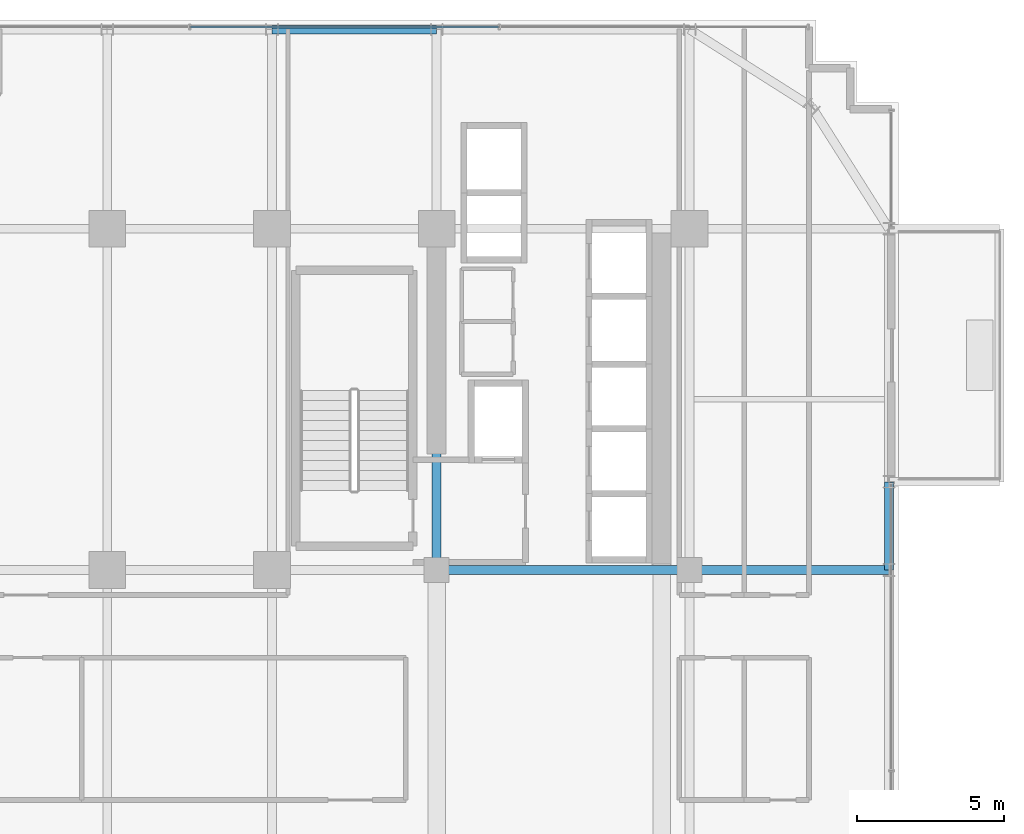
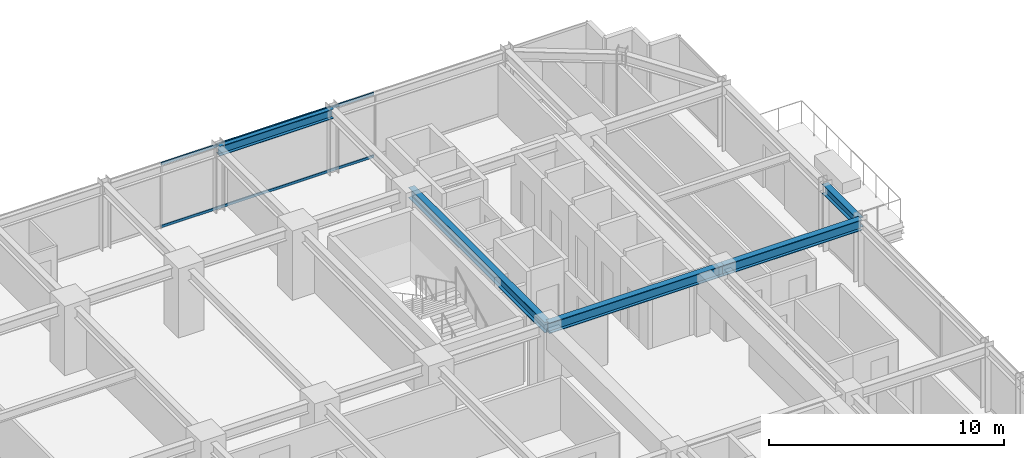
# One storey, part 21 of 33: 5 beams, 2 members, 1 element without a shape of its own.
"""IFC4 building model written with IfcOpenShell, lengths in metres."""

from ifc_helpers import new_model, si_unit, direction, frame, origin, origin_2d, place, context, subcontext, project, spatial, hollow_rectangle, i_section, extrude, source, transform, mapped, material, material_profile, profile_set, type_object, element, aggregate, save


model = new_model("IFC4")

# Units and contexts
model_context = context("Model", 3, precision=1e-05, world=origin(), true_north=direction((0.0, 1.0)))
body_context = subcontext(model_context, "Body", "Model", "MODEL_VIEW")
ifc_project = project(units=[si_unit("LENGTHUNIT", "METRE"), si_unit("AREAUNIT", "SQUARE_METRE"), si_unit("VOLUMEUNIT", "CUBIC_METRE"), si_unit("PLANEANGLEUNIT", "RADIAN"), si_unit("MASSUNIT", "GRAM", prefix="KILO")], contexts=[model_context])

# Site, building, storey
site_placement = place(None, origin())
site = spatial("IfcSite", under=ifc_project, at=site_placement, CompositionType="ELEMENT")
building_placement = place(site_placement, origin())
building = spatial("IfcBuilding", under=site, at=building_placement, Name="Nahalor Promenade Grand Hotel", CompositionType="ELEMENT")
storey_placement = place(building_placement, frame((0.0, 0.0, 117.5)))
storey = spatial("IfcBuildingStorey", under=building, at=storey_placement, Name="L29", CompositionType="ELEMENT", Elevation=117.5)

# Beams
ifc_material_1 = material(Name="Steel S355JR", Category="steel")
ifc_material_profile_1 = material_profile(ifc_material_1, i_section(OverallWidth=0.3, OverallDepth=0.5, WebThickness=0.0145, FlangeThickness=0.028, at=origin_2d()), Name="HEB 500")
ifc_profile_set_1 = profile_set([ifc_material_profile_1], Name="Steel S355JR")
beam_type_1 = type_object("IfcBeamType", Name="Beam-Spandrel-HEB500", PredefinedType="SPANDREL", material=ifc_profile_set_1)
shared_shape_1 = source(origin(), body_context, "Body", "SweptSolid", [
    extrude(i_section(OverallWidth=0.3, OverallDepth=0.5, WebThickness=0.0145, FlangeThickness=0.028, at=origin_2d()), origin(), (0.0, 0.0, 1.0), 5.599853515625),
])
beam_1_placement = place(storey_placement, frame((2.800048828125, 23.780029296875, 3.1298828125), z_axis=(1.0, 0.0, 0.0), x_axis=(0.0, 1.0, 0.0)))
element("IfcBeam", 1, at=beam_1_placement, inside=storey, type_object=beam_type_1, Name="BM-L29-SP-N-3", PredefinedType="SPANDREL", context=body_context, shape_type="MappedRepresentation", body=[
    mapped(shared_shape_1, transform((0.0, 0.0, 0.0), scale=1.0)),
])
shared_shape_2 = source(origin(), body_context, "Body", "SweptSolid", [
    extrude(i_section(OverallWidth=0.3, OverallDepth=0.5, WebThickness=0.0145, FlangeThickness=0.028, at=origin_2d()), origin(), (0.0, 0.0, 1.0), 3.0),
])
beam_2_placement = place(storey_placement, frame((23.780029296875, 5.39990234375, 3.1298828125), z_axis=(0.0, 1.0, 0.0), x_axis=(-1.0, 0.0, 0.0)))
element("IfcBeam", 2, at=beam_2_placement, inside=storey, type_object=beam_type_1, Name="BM-L29-SP-E-3", PredefinedType="SPANDREL", context=body_context, shape_type="MappedRepresentation", body=[
    mapped(shared_shape_2, transform((0.0, 0.0, 0.0), scale=1.0)),
])
ifc_material_profile_2 = material_profile(ifc_material_1, i_section(OverallWidth=0.3, OverallDepth=0.55, WebThickness=0.015, FlangeThickness=0.029, at=origin_2d()), Name="HEB 550")
ifc_profile_set_2 = profile_set([ifc_material_profile_2], Name="Steel S355JR")
beam_type_2 = type_object("IfcBeamType", Name="Beam-Girder-HEB550", PredefinedType="BEAM", material=ifc_profile_set_2)
shared_shape_3 = source(origin(), body_context, "Body", "SweptSolid", [
    extrude(i_section(OverallWidth=0.3, OverallDepth=0.55, WebThickness=0.015, FlangeThickness=0.029, at=origin_2d()), origin(), (0.0, 0.0, 1.0), 6.780029296875),
])
beam_3_placement = place(storey_placement, frame((17.0, 5.39990234375, 3.10498046875), z_axis=(1.0, 0.0, 0.0), x_axis=(0.0, 1.0, 0.0)))
element("IfcBeam", 3, at=beam_3_placement, inside=storey, type_object=beam_type_2, Name="BM-L29-GX-2-6", PredefinedType="BEAM", context=body_context, shape_type="MappedRepresentation", body=[
    mapped(shared_shape_3, transform((0.0, 0.0, 0.0), scale=1.0)),
])
shared_shape_4 = source(origin(), body_context, "Body", "SweptSolid", [
    extrude(i_section(OverallWidth=0.3, OverallDepth=0.55, WebThickness=0.015, FlangeThickness=0.029, at=origin_2d()), origin(), (0.0, 0.0, 1.0), 8.60009765625),
])
beam_4_placement = place(storey_placement, frame((8.39990234375, 5.39990234375, 3.10498046875), z_axis=(1.0, 0.0, 0.0), x_axis=(0.0, 1.0, 0.0)))
element("IfcBeam", 4, at=beam_4_placement, inside=storey, type_object=beam_type_2, Name="BM-L29-GX-2-5", PredefinedType="BEAM", context=body_context, shape_type="MappedRepresentation", body=[
    mapped(shared_shape_4, transform((0.0, 0.0, 0.0), scale=1.0)),
])
shared_shape_5 = source(origin(), body_context, "Body", "SweptSolid", [
    extrude(i_section(OverallWidth=0.3, OverallDepth=0.55, WebThickness=0.015, FlangeThickness=0.029, at=origin_2d()), origin(), (0.0, 0.0, 1.0), 11.60009765625),
])
beam_5_placement = place(storey_placement, frame((8.39990234375, 5.39990234375, 3.10498046875), z_axis=(0.0, 1.0, 0.0), x_axis=(-1.0, 0.0, 0.0)))
element("IfcBeam", 5, at=beam_5_placement, inside=storey, type_object=beam_type_2, Name="BM-L29-GY-4-3", PredefinedType="BEAM", context=body_context, shape_type="MappedRepresentation", body=[
    mapped(shared_shape_5, transform((0.0, 0.0, 0.0), scale=1.0)),
])

# Curtain wall, members
ifc_material_2 = material(Name="Anodised Bronze Aluminium EN AW-6063 T6", Category="aluminium")
curtain_wall_type = type_object("IfcCurtainWallType", Name="CW2 Typical Hotel Flush Bronze Unitised Curtain Wall", PredefinedType="USERDEFINED", material=ifc_material_2)
curtain_wall_placement = place(storey_placement, origin())
curtain_wall = element("IfcCurtainWall", 6, at=curtain_wall_placement, inside=storey, type_object=curtain_wall_type, Name="L29 Curtain Wall CW-L29-N-1", ObjectType="UNITISED_CURTAIN_WALL", PredefinedType="USERDEFINED")
ifc_material_profile_3 = material_profile(ifc_material_2, hollow_rectangle(XDim=0.065, YDim=0.13, WallThickness=0.004, at=origin_2d()), Name="CWT 65x130x4")
ifc_profile_set_3 = profile_set([ifc_material_profile_3], Name="Anodised Bronze Aluminium EN AW-6063 T6")
member_type = type_object("IfcMemberType", Name="CWT2 Typical Bronze Transom 65x130", PredefinedType="USERDEFINED", material=ifc_profile_set_3)
shared_shape_6 = source(origin(), body_context, "Body", "SweptSolid", [
    extrude(hollow_rectangle(XDim=0.065, YDim=0.13, WallThickness=0.004, at=origin_2d()), origin(), (0.0, 0.0, 1.0), 10.465087890625),
])
member_1_placement = place(storey_placement, frame((0.032470703125, 23.860107421875, 0.06494140625), z_axis=(1.0, 0.0, 0.0), x_axis=(0.0, 1.0, 0.0)))
member_1 = element("IfcMember", 7, at=member_1_placement, type_object=member_type, Name="CW-L29-N-1 Transom 2-0", ObjectType="TRANSOM", PredefinedType="USERDEFINED", context=body_context, shape_type="MappedRepresentation", body=[
    mapped(shared_shape_6, transform((0.0, 0.0, 0.0), scale=1.0)),
])
member_2_placement = place(storey_placement, frame((0.032470703125, 23.860107421875, 3.31494140625), z_axis=(1.0, 0.0, 0.0), x_axis=(0.0, 1.0, 0.0)))
member_2 = element("IfcMember", 8, at=member_2_placement, type_object=member_type, Name="CW-L29-N-1 Transom 2-1", ObjectType="TRANSOM", PredefinedType="USERDEFINED", context=body_context, shape_type="MappedRepresentation", body=[
    mapped(shared_shape_6, transform((0.0, 0.0, 0.0), scale=1.0)),
])
aggregate(curtain_wall, [member_1, member_2])

save(model, "model.ifc")
